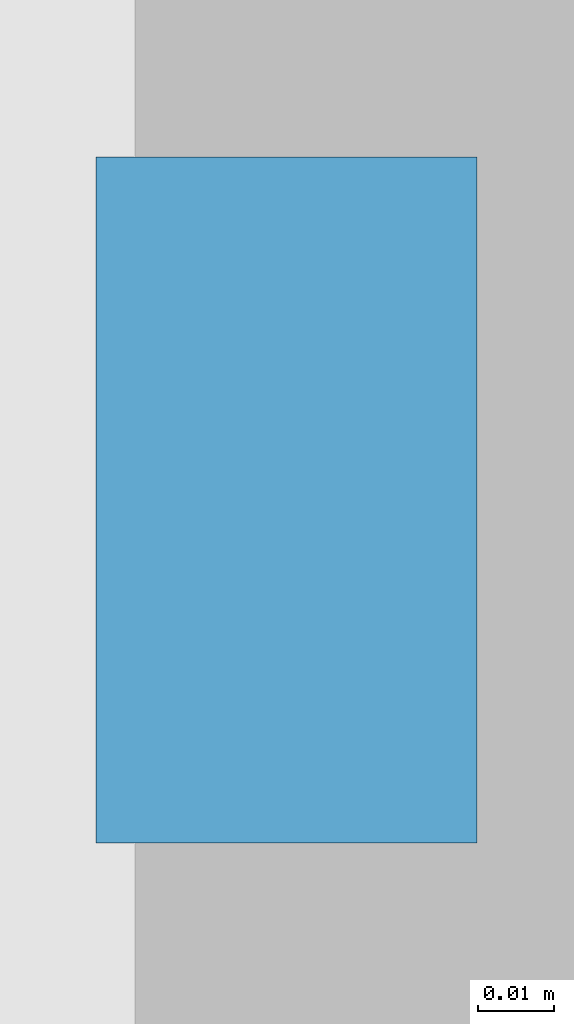
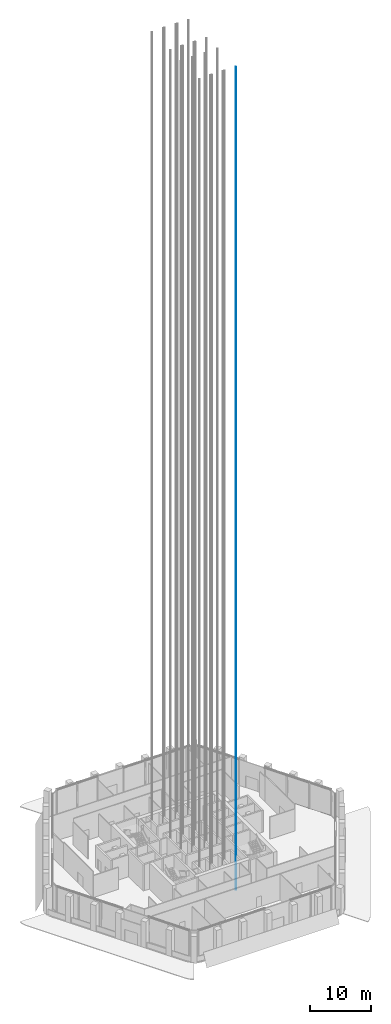
# One storey, part 20 of 42: 1 discrete accessory.
"""IFC4 building model written with IfcOpenShell, lengths in metres."""

from ifc_helpers import new_model, si_unit, direction, frame, origin, origin_2d, place, context, subcontext, project, spatial, rectangle, extrude, element, save


model = new_model("IFC4")

# Units and contexts
model_context = context("Model", 3, precision=1e-05, world=origin(), true_north=direction((0.0, 1.0)))
body_context = subcontext(model_context, "Body", "Model", "MODEL_VIEW")
ifc_project = project(units=[si_unit("LENGTHUNIT", "METRE"), si_unit("AREAUNIT", "SQUARE_METRE"), si_unit("VOLUMEUNIT", "CUBIC_METRE"), si_unit("PLANEANGLEUNIT", "RADIAN"), si_unit("MASSUNIT", "GRAM", prefix="KILO")], contexts=[model_context])

# Site, building, storey
site_placement = place(None, origin())
site = spatial("IfcSite", under=ifc_project, at=site_placement, CompositionType="ELEMENT")
building_placement = place(site_placement, origin())
building = spatial("IfcBuilding", under=site, at=building_placement, Name="Kolab Exchange Tower", CompositionType="ELEMENT")
storey_placement = place(building_placement, frame((0.0, 0.0, 133.39990234375)))
storey = spatial("IfcBuildingStorey", under=building, at=storey_placement, Name="L26", CompositionType="ELEMENT", Elevation=133.39990234375)

# Discrete accessory
discrete_accessory_placement = place(storey_placement, frame((3.469970703125, -7.800048828125, -1.599853515625), z_axis=(0.0, 0.0, 1.0), x_axis=(1.0, 0.0, 0.0)))
element("IfcDiscreteAccessory", 1, at=discrete_accessory_placement, inside=storey, Name="Guide rail HR12-2", ObjectType="GUIDE RAIL", PredefinedType="USERDEFINED", context=body_context, shape_type="SweptSolid", body=[
    extrude(rectangle(XDim=0.050048828125, YDim=0.090087890625, at=origin_2d()), origin(), (0.0, 0.0, 1.0), 165.60009765625),
])

save(model, "model.ifc")
